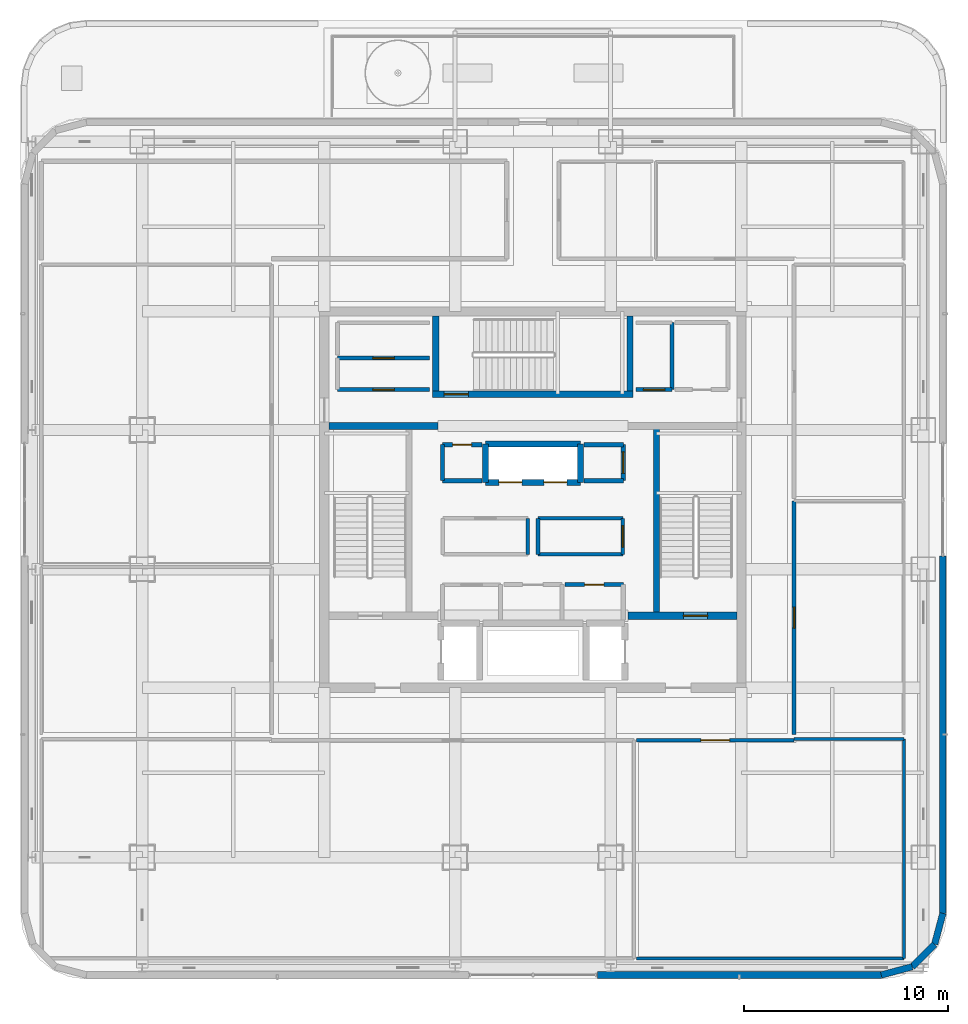
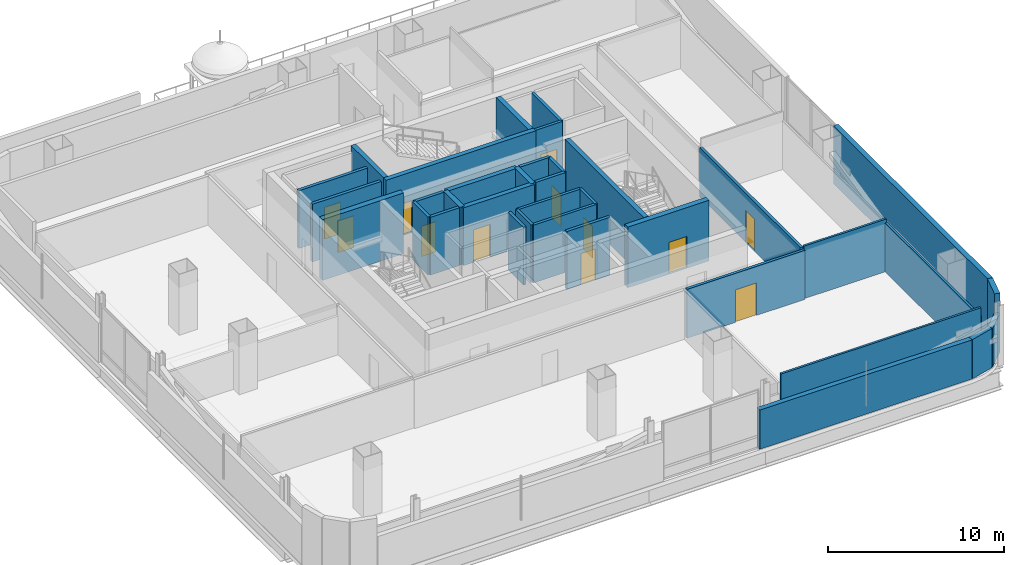
# One storey, part 13 of 28: 36 walls, 13 doors, 13 openings.
"""IFC4 building model written with IfcOpenShell, lengths in metres."""

from ifc_helpers import new_model, si_unit, direction, frame, frame_2d, origin, place, context, subcontext, project, spatial, rectangle, extrude, material, layer, layer_set, type_object, element, fill, save


model = new_model("IFC4")

# Units and contexts
model_context = context("Model", 3, precision=1e-05, world=origin(), true_north=direction((0.0, 1.0)))
body_context = subcontext(model_context, "Body", "Model", "MODEL_VIEW")
ifc_project = project(units=[si_unit("LENGTHUNIT", "METRE"), si_unit("AREAUNIT", "SQUARE_METRE"), si_unit("VOLUMEUNIT", "CUBIC_METRE"), si_unit("PLANEANGLEUNIT", "RADIAN"), si_unit("MASSUNIT", "GRAM", prefix="KILO")], contexts=[model_context])

# Site, building, storey
site_placement = place(None, origin())
site = spatial("IfcSite", under=ifc_project, at=site_placement, CompositionType="ELEMENT")
building_placement = place(site_placement, origin())
building = spatial("IfcBuilding", under=site, at=building_placement, Name="Punatoya Terracotta Tower", CompositionType="ELEMENT")
storey_placement = place(building_placement, frame((0.0, 0.0, 317.39990234375)))
storey = spatial("IfcBuildingStorey", under=building, at=storey_placement, Name="L75", CompositionType="ELEMENT", Elevation=317.39990234375)

# Wall
ifc_material_1 = material(Name="Gypsum Fireboard + Steel Stud", Category="steel")
ifc_layer_1 = layer(ifc_material_1, 0.179931640625)
ifc_layer_set_1 = layer_set([ifc_layer_1], Name="Gypsum Fireboard + Steel Stud")
wall_type_1 = type_object("IfcWallType", Name="WL-CORR-180", PredefinedType="PARTITIONING", material=ifc_layer_set_1)
wall_1_placement = place(storey_placement, frame((-0.25, -2.679931640625, 0.0), z_axis=(0.0, 0.0, 1.0), x_axis=(0.0, 1.0, 0.0)))
element("IfcWall", 1, at=wall_1_placement, inside=storey, type_object=wall_type_1, Name="L75 West Core Focus Pod Partition 08", PredefinedType="PARTITIONING", context=body_context, shape_type="SweptSolid", body=[
    extrude(rectangle(XDim=1.760009765625, YDim=0.179931640625, at=frame_2d((0.8798828125, 0.0))), origin(), (0.0, 0.0, 1.0), 4.0),
])

# Wall, opening, door
wall_2_placement = place(storey_placement, frame((4.39990234375, -2.679931640625, 0.0), z_axis=(0.0, 0.0, 1.0), x_axis=(0.0, 1.0, 0.0)))
wall_2 = element("IfcWall", 2, at=wall_2_placement, inside=storey, type_object=wall_type_1, Name="L75 East Core Wellness Room Partition 12", PredefinedType="PARTITIONING", context=body_context, shape_type="SweptSolid", body=[
    extrude(rectangle(XDim=1.760009765625, YDim=0.179931640625, at=frame_2d((0.8798828125, 0.0))), origin(), (0.0, 0.0, 1.0), 4.0),
])
opening_1_placement = place(wall_2_placement, frame((0.35498046875, 0.0, 0.0)))
opening_1 = element("IfcOpeningElement", 3, at=opening_1_placement, cuts=wall_2, Name="Opening OD-01", PredefinedType="OPENING", context=body_context, shape_type="SweptSolid", body=[
    extrude(rectangle(XDim=1.050048828125, YDim=2.199951171875, at=frame_2d((0.52490234375, 1.10009765625))), frame((0.0, 0.099853515625, 0.0), z_axis=(0.0, -1.0, 0.0), x_axis=(1.0, 0.0, 0.0)), (0.0, 0.0, 1.0), 0.199951171875),
])
ifc_material_2 = material(Name="Bengal Teak Solid-Core Leaf")
door_type_1 = type_object("IfcDoorType", Name="DR-OFF-1050", OperationType="NOTDEFINED", PredefinedType="DOOR", material=ifc_material_2)
door_1_placement = place(opening_1_placement, origin())
door_1 = element("IfcDoor", 4, at=door_1_placement, inside=storey, type_object=door_type_1, Name="L75 East Wellness Room Door", OperationType="SINGLE_SWING_LEFT", OverallHeight=2.199951171875, OverallWidth=1.050048828125, PredefinedType="DOOR", context=body_context, shape_type="SweptSolid", body=[
    extrude(rectangle(XDim=1.050048828125, YDim=2.199951171875, at=frame_2d((0.52490234375, 1.10009765625))), frame((0.0, 0.02490234375, 0.0), z_axis=(0.0, -1.0, 0.0), x_axis=(1.0, 0.0, 0.0)), (0.0, 0.0, 1.0), 0.050048828125),
])
fill(opening_1, door_1)

# Walls
wall_3_placement = place(storey_placement, frame((4.39990234375, -0.919921875, 0.0), z_axis=(0.0, 0.0, 1.0), x_axis=(-1.0, 0.0, 0.0)))
element("IfcWall", 5, at=wall_3_placement, inside=storey, type_object=wall_type_1, Name="L75 East Core Wellness Room Partition 13", PredefinedType="PARTITIONING", context=body_context, shape_type="SweptSolid", body=[
    extrude(rectangle(XDim=4.14990234375, YDim=0.179931640625, at=frame_2d((2.074951171875, 0.0))), origin(), (0.0, 0.0, 1.0), 4.0),
])
wall_4_placement = place(storey_placement, frame((0.25, -0.919921875, 0.0), z_axis=(0.0, 0.0, 1.0), x_axis=(0.0, -1.0, 0.0)))
element("IfcWall", 6, at=wall_4_placement, inside=storey, type_object=wall_type_1, Name="L75 East Core Wellness Room Partition 14", PredefinedType="PARTITIONING", context=body_context, shape_type="SweptSolid", body=[
    extrude(rectangle(XDim=1.760009765625, YDim=0.179931640625, at=frame_2d((0.8798828125, 0.0))), origin(), (0.0, 0.0, 1.0), 4.0),
])
wall_5_placement = place(storey_placement, frame((0.25, -2.679931640625, 0.0), z_axis=(0.0, 0.0, 1.0), x_axis=(1.0, 0.0, 0.0)))
element("IfcWall", 7, at=wall_5_placement, inside=storey, type_object=wall_type_1, Name="L75 East Core Wellness Room Partition 15", PredefinedType="PARTITIONING", context=body_context, shape_type="SweptSolid", body=[
    extrude(rectangle(XDim=4.14990234375, YDim=0.179931640625, at=frame_2d((2.074951171875, 0.0))), origin(), (0.0, 0.0, 1.0), 4.0),
])
wall_6_placement = place(storey_placement, frame((6.800048828125, 5.3798828125, 0.0), z_axis=(0.0, 0.0, 1.0), x_axis=(0.0, 1.0, 0.0)))
element("IfcWall", 8, at=wall_6_placement, inside=storey, type_object=wall_type_1, Name="L75 East Core Focus Office Partition 27", PredefinedType="PARTITIONING", context=body_context, shape_type="SweptSolid", body=[
    extrude(rectangle(XDim=3.27001953125, YDim=0.179931640625, at=frame_2d((1.635009765625, 0.0))), origin(), (0.0, 0.0, 1.0), 4.0),
])

# Wall, opening, door
wall_7_placement = place(storey_placement, frame((5.050048828125, 5.3798828125, 0.0), z_axis=(0.0, 0.0, 1.0), x_axis=(1.0, 0.0, 0.0)))
wall_7 = element("IfcWall", 9, at=wall_7_placement, inside=storey, type_object=wall_type_1, Name="L75 East Core Focus Office Partition 29", PredefinedType="PARTITIONING", context=body_context, shape_type="SweptSolid", body=[
    extrude(rectangle(XDim=1.75, YDim=0.179931640625, at=frame_2d((0.875, 0.0))), origin(), (0.0, 0.0, 1.0), 4.0),
])
opening_2_placement = place(wall_7_placement, frame((0.35009765625, 0.0, 0.0)))
opening_2 = element("IfcOpeningElement", 10, at=opening_2_placement, cuts=wall_7, Name="Opening OD-01", PredefinedType="OPENING", context=body_context, shape_type="SweptSolid", body=[
    extrude(rectangle(XDim=1.050048828125, YDim=2.199951171875, at=frame_2d((0.52490234375, 1.10009765625))), frame((0.0, 0.099853515625, 0.0), z_axis=(0.0, -1.0, 0.0), x_axis=(1.0, 0.0, 0.0)), (0.0, 0.0, 1.0), 0.199951171875),
])
door_2_placement = place(opening_2_placement, origin())
door_2 = element("IfcDoor", 11, at=door_2_placement, inside=storey, type_object=door_type_1, Name="L75 East Focus Office Door", OperationType="SINGLE_SWING_RIGHT", OverallHeight=2.199951171875, OverallWidth=1.050048828125, PredefinedType="DOOR", context=body_context, shape_type="SweptSolid", body=[
    extrude(rectangle(XDim=1.050048828125, YDim=2.199951171875, at=frame_2d((0.52490234375, 1.10009765625))), frame((0.0, 0.02490234375, 0.0), z_axis=(0.0, -1.0, 0.0), x_axis=(1.0, 0.0, 0.0)), (0.0, 0.0, 1.0), 0.050048828125),
])
fill(opening_2, door_2)

wall_8_placement = place(storey_placement, frame((5.068115234375, -11.77001953125, 0.0), z_axis=(0.0, 0.0, 1.0), x_axis=(1.0, 0.0, 0.0)))
wall_8 = element("IfcWall", 12, at=wall_8_placement, inside=storey, type_object=wall_type_1, Name="L75 Media Broadcast Studio Partition 41", PredefinedType="PARTITIONING", context=body_context, shape_type="SweptSolid", body=[
    extrude(rectangle(XDim=7.701904296875, YDim=0.179931640625, at=frame_2d((3.85107421875, 0.0))), origin(), (0.0, 0.0, 1.0), 3.39404296875),
])
opening_3_placement = place(wall_8_placement, frame((3.15087890625, 0.0, 0.0)))
opening_3 = element("IfcOpeningElement", 13, at=opening_3_placement, cuts=wall_8, Name="Opening BD-01", PredefinedType="OPENING", context=body_context, shape_type="SweptSolid", body=[
    extrude(rectangle(XDim=1.39990234375, YDim=2.25, at=frame_2d((0.699951171875, 1.125))), frame((0.0, 0.099853515625, 0.0), z_axis=(0.0, -1.0, 0.0), x_axis=(1.0, 0.0, 0.0)), (0.0, 0.0, 1.0), 0.199951171875),
])
ifc_material_3 = material(Name="Bengal Teak Acoustic Leaf")
door_type_2 = type_object("IfcDoorType", Name="DR-BRD-1400", OperationType="NOTDEFINED", PredefinedType="DOOR", material=ifc_material_3)
door_3_placement = place(opening_3_placement, origin())
door_3 = element("IfcDoor", 14, at=door_3_placement, inside=storey, type_object=door_type_2, Name="L75 Media Broadcast Studio Door", OperationType="SINGLE_SWING_LEFT", OverallHeight=2.25, OverallWidth=1.39990234375, PredefinedType="DOOR", context=body_context, shape_type="SweptSolid", body=[
    extrude(rectangle(XDim=1.39990234375, YDim=2.25, at=frame_2d((0.699951171875, 1.125))), frame((0.0, 0.02490234375, 0.0), z_axis=(0.0, -1.0, 0.0), x_axis=(1.0, 0.0, 0.0)), (0.0, 0.0, 1.0), 0.050048828125),
])
fill(opening_3, door_3)

wall_9_placement = place(storey_placement, frame((12.77001953125, -11.489990234375, 0.0), z_axis=(0.0, 0.0, 1.0), x_axis=(0.0, 1.0, 0.0)))
wall_9 = element("IfcWall", 15, at=wall_9_placement, inside=storey, type_object=wall_type_1, Name="L75 Press Briefing Room Partition 47", PredefinedType="PARTITIONING", context=body_context, shape_type="SweptSolid", body=[
    extrude(rectangle(XDim=11.429931640625, YDim=0.179931640625, at=frame_2d((5.71484375, 0.0))), origin(), (0.0, 0.0, 1.0), 3.39404296875),
])
opening_4_placement = place(wall_9_placement, frame((5.205078125, 0.0, 0.0)))
opening_4 = element("IfcOpeningElement", 16, at=opening_4_placement, cuts=wall_9, Name="Opening MD-01", PredefinedType="OPENING", context=body_context, shape_type="SweptSolid", body=[
    extrude(rectangle(XDim=1.02001953125, YDim=2.199951171875, at=frame_2d((0.510009765625, 1.10009765625))), frame((0.0, 0.099853515625, 0.0), z_axis=(0.0, -1.0, 0.0), x_axis=(1.0, 0.0, 0.0)), (0.0, 0.0, 1.0), 0.199951171875),
])
ifc_material_4 = material(Name="Aluminium + Acoustic Glass Leaf", Category="aluminium")
door_type_3 = type_object("IfcDoorType", Name="DR-MTG-1020", OperationType="NOTDEFINED", PredefinedType="DOOR", material=ifc_material_4)
door_4_placement = place(opening_4_placement, origin())
door_4 = element("IfcDoor", 17, at=door_4_placement, inside=storey, type_object=door_type_3, Name="L75 Press Briefing Room Door", OperationType="SINGLE_SWING_LEFT", OverallHeight=2.199951171875, OverallWidth=1.02001953125, PredefinedType="DOOR", context=body_context, shape_type="SweptSolid", body=[
    extrude(rectangle(XDim=1.02001953125, YDim=2.199951171875, at=frame_2d((0.510009765625, 1.10009765625))), frame((0.0, 0.02490234375, 0.0), z_axis=(0.0, -1.0, 0.0), x_axis=(1.0, 0.0, 0.0)), (0.0, 0.0, 1.0), 0.050048828125),
])
fill(opening_4, door_4)

# Walls
ifc_material_5 = material(Name="Precast concrete C40/50", Category="concrete")
ifc_layer_2 = layer(ifc_material_5, 0.320068359375)
ifc_layer_set_2 = layer_set([ifc_layer_2], Name="Precast concrete C40/50")
wall_type_2 = type_object("IfcWallType", Name="WL-EXT-320", PredefinedType="SOLIDWALL", material=ifc_layer_set_2)
wall_10_placement = place(storey_placement, frame((3.14990234375, -23.25, 0.0), z_axis=(0.0, 0.0, 1.0), x_axis=(1.0, 0.0, 0.0)))
element("IfcWall", 18, at=wall_10_placement, inside=storey, type_object=wall_type_2, Name="L75 Terracotta Braced Facade Wall S2", PredefinedType="SOLIDWALL", context=body_context, shape_type="SweptSolid", body=[
    extrude(rectangle(XDim=13.886962890625, YDim=0.320068359375, at=frame_2d((6.943359375, 0.0))), origin(), (0.0, 0.0, 1.0), 2.714111328125),
])
wall_11_placement = place(storey_placement, frame((17.036865234375, -23.25, 0.0), z_axis=(0.0, 0.0, 1.0), x_axis=(0.966224582397, 0.257701486942, 0.0)))
element("IfcWall", 19, at=wall_11_placement, inside=storey, type_object=wall_type_2, Name="L75 Rounded Terracotta Corner Pier 02", PredefinedType="SOLIDWALL", context=body_context, shape_type="SweptSolid", body=[
    extrude(rectangle(XDim=1.565185546875, YDim=0.320068359375, at=frame_2d((0.78271484375, 0.0))), origin(), (0.0, 0.0, 1.0), 2.714111328125),
])
wall_12_placement = place(storey_placement, frame((18.549072265625, -22.8466796875, 0.0), z_axis=(0.0, 0.0, 1.0), x_axis=(0.707028130747, 0.707185422879, 0.0)))
element("IfcWall", 20, at=wall_12_placement, inside=storey, type_object=wall_type_2, Name="L75 Rounded Terracotta Corner Pier 03", PredefinedType="SOLIDWALL", context=body_context, shape_type="SweptSolid", body=[
    extrude(rectangle(XDim=1.55224609375, YDim=0.320068359375, at=frame_2d((0.776123046875, 0.0))), origin(), (0.0, 0.0, 1.0), 2.674072265625),
])
wall_13_placement = place(storey_placement, frame((19.646484375, -21.7490234375, 0.0), z_axis=(0.0, 0.0, 1.0), x_axis=(0.257847112249, 0.966185730957, 0.0)))
element("IfcWall", 21, at=wall_13_placement, inside=storey, type_object=wall_type_2, Name="L75 Rounded Terracotta Corner Pier 04", PredefinedType="SOLIDWALL", context=body_context, shape_type="SweptSolid", body=[
    extrude(rectangle(XDim=1.565185546875, YDim=0.320068359375, at=frame_2d((0.78271484375, 0.0))), origin(), (0.0, 0.0, 1.0), 4.0),
])
wall_14_placement = place(storey_placement, frame((20.050048828125, -20.23681640625, 0.0), z_axis=(0.0, 0.0, 1.0), x_axis=(0.0, 1.0, 0.0)))
element("IfcWall", 22, at=wall_14_placement, inside=storey, type_object=wall_type_2, Name="L75 Terracotta Braced Facade Wall E1", PredefinedType="SOLIDWALL", context=body_context, shape_type="SweptSolid", body=[
    extrude(rectangle(XDim=17.48681640625, YDim=0.320068359375, at=frame_2d((8.743408203125, 0.0))), origin(), (0.0, 0.0, 1.0), 4.0),
])

# Wall, opening, door
ifc_material_6 = material(Name="Concrete C40/50", Category="concrete")
ifc_layer_3 = layer(ifc_material_6, 0.199951171875)
ifc_layer_set_3 = layer_set([ifc_layer_3], Name="Concrete C40/50")
wall_type_3 = type_object("IfcWallType", Name="WL-INT-200", PredefinedType="SOLIDWALL", material=ifc_layer_set_3)
wall_15_placement = place(storey_placement, frame((4.419921875, -4.159912109375, 0.0), z_axis=(0.0, 0.0, 1.0), x_axis=(-1.0, 0.0, 0.0)))
wall_15 = element("IfcWall", 23, at=wall_15_placement, inside=storey, type_object=wall_type_3, Name="L75 All-Gender Washroom Partition 07", PredefinedType="SOLIDWALL", context=body_context, shape_type="SweptSolid", body=[
    extrude(rectangle(XDim=2.83984375, YDim=0.199951171875, at=frame_2d((1.419921875, 0.0))), origin(), (0.0, 0.0, 1.0), 4.0),
])
opening_5_placement = place(wall_15_placement, frame((0.945068359375, 0.0, 0.0)))
opening_5 = element("IfcOpeningElement", 24, at=opening_5_placement, cuts=wall_15, Name="Opening WD-01", PredefinedType="OPENING", context=body_context, shape_type="SweptSolid", body=[
    extrude(rectangle(XDim=0.949951171875, YDim=2.14990234375, at=frame_2d((0.47509765625, 1.074951171875))), frame((0.0, 0.10986328125, 0.0), z_axis=(0.0, -1.0, 0.0), x_axis=(1.0, 0.0, 0.0)), (0.0, 0.0, 1.0), 0.219970703125),
])
ifc_material_7 = material(Name="Moisture-Resistant Laminate Timber Leaf", Category="wood")
door_type_4 = type_object("IfcDoorType", Name="DR-WC-950", OperationType="NOTDEFINED", PredefinedType="DOOR", material=ifc_material_7)
door_5_placement = place(opening_5_placement, origin())
door_5 = element("IfcDoor", 25, at=door_5_placement, inside=storey, type_object=door_type_4, Name="L75 All-Gender Washroom Door", OperationType="SINGLE_SWING_LEFT", OverallHeight=2.14990234375, OverallWidth=0.949951171875, PredefinedType="DOOR", context=body_context, shape_type="SweptSolid", body=[
    extrude(rectangle(XDim=0.949951171875, YDim=2.14990234375, at=frame_2d((0.47509765625, 1.074951171875))), frame((0.0, 0.02490234375, 0.0), z_axis=(0.0, -1.0, 0.0), x_axis=(1.0, 0.0, 0.0)), (0.0, 0.0, 1.0), 0.050048828125),
])
fill(opening_5, door_5)

wall_16_placement = place(storey_placement, frame((-2.5, 2.679931640625, 0.0), z_axis=(0.0, 0.0, 1.0), x_axis=(-1.0, 0.0, 0.0)))
wall_16 = element("IfcWall", 26, at=wall_16_placement, inside=storey, type_object=wall_type_3, Name="L75 Core Security Equipment Closet Partition 16", PredefinedType="SOLIDWALL", context=body_context, shape_type="SweptSolid", body=[
    extrude(rectangle(XDim=1.919921875, YDim=0.199951171875, at=frame_2d((0.9599609375, 0.0))), origin(), (0.0, 0.0, 1.0), 4.0),
])
opening_6_placement = place(wall_16_placement, frame((0.5, 0.0, 0.0)))
opening_6 = element("IfcOpeningElement", 27, at=opening_6_placement, cuts=wall_16, Name="Opening FD-R1", PredefinedType="OPENING", context=body_context, shape_type="SweptSolid", body=[
    extrude(rectangle(XDim=0.919921875, YDim=2.10009765625, at=frame_2d((0.4599609375, 1.050048828125))), frame((0.0, 0.10986328125, 0.0), z_axis=(0.0, -1.0, 0.0), x_axis=(1.0, 0.0, 0.0)), (0.0, 0.0, 1.0), 0.219970703125),
])
ifc_material_8 = material(Name="Galvanised Steel Riser Fire Access Door", Category="steel")
door_type_5 = type_object("IfcDoorType", Name="DR-RSR-920", OperationType="NOTDEFINED", PredefinedType="DOOR", material=ifc_material_8)
door_6_placement = place(opening_6_placement, origin())
door_6 = element("IfcDoor", 28, at=door_6_placement, inside=storey, type_object=door_type_5, Name="L75 Core Security Equipment Closet Fire Door", OperationType="SINGLE_SWING_RIGHT", OverallHeight=2.10009765625, OverallWidth=0.919921875, PredefinedType="DOOR", context=body_context, shape_type="SweptSolid", body=[
    extrude(rectangle(XDim=0.919921875, YDim=2.10009765625, at=frame_2d((0.4599609375, 1.050048828125))), frame((0.0, 0.02490234375, 0.0), z_axis=(0.0, -1.0, 0.0), x_axis=(1.0, 0.0, 0.0)), (0.0, 0.0, 1.0), 0.050048828125),
])
fill(opening_6, door_6)

# Walls
wall_17_placement = place(storey_placement, frame((-4.419921875, 2.679931640625, 0.0), z_axis=(0.0, 0.0, 1.0), x_axis=(0.0, -1.0, 0.0)))
element("IfcWall", 29, at=wall_17_placement, inside=storey, type_object=wall_type_3, Name="L75 Core Security Equipment Closet Partition 17", PredefinedType="SOLIDWALL", context=body_context, shape_type="SweptSolid", body=[
    extrude(rectangle(XDim=1.760009765625, YDim=0.199951171875, at=frame_2d((0.8798828125, 0.0))), origin(), (0.0, 0.0, 1.0), 4.0),
])
wall_18_placement = place(storey_placement, frame((-4.419921875, 0.919921875, 0.0), z_axis=(0.0, 0.0, 1.0), x_axis=(1.0, 0.0, 0.0)))
element("IfcWall", 30, at=wall_18_placement, inside=storey, type_object=wall_type_3, Name="L75 Core Security Equipment Closet Partition 18", PredefinedType="SOLIDWALL", context=body_context, shape_type="SweptSolid", body=[
    extrude(rectangle(XDim=1.919921875, YDim=0.199951171875, at=frame_2d((0.9599609375, 0.0))), origin(), (0.0, 0.0, 1.0), 4.0),
])

# Wall, opening, door
wall_19_placement = place(storey_placement, frame((4.419921875, 0.919921875, 0.0), z_axis=(0.0, 0.0, 1.0), x_axis=(0.0, 1.0, 0.0)))
wall_19 = element("IfcWall", 31, at=wall_19_placement, inside=storey, type_object=wall_type_3, Name="L75 Executive Steward Pantry Partition 19", PredefinedType="SOLIDWALL", context=body_context, shape_type="SweptSolid", body=[
    extrude(rectangle(XDim=1.760009765625, YDim=0.199951171875, at=frame_2d((0.8798828125, 0.0))), origin(), (0.0, 0.0, 1.0), 4.0),
])
opening_7_placement = place(wall_19_placement, frame((0.35498046875, 0.0, 0.0)))
opening_7 = element("IfcOpeningElement", 32, at=opening_7_placement, cuts=wall_19, Name="Opening OD-01", PredefinedType="OPENING", context=body_context, shape_type="SweptSolid", body=[
    extrude(rectangle(XDim=1.050048828125, YDim=2.199951171875, at=frame_2d((0.52490234375, 1.10009765625))), frame((0.0, 0.10986328125, 0.0), z_axis=(0.0, -1.0, 0.0), x_axis=(1.0, 0.0, 0.0)), (0.0, 0.0, 1.0), 0.219970703125),
])
door_7_placement = place(opening_7_placement, origin())
door_7 = element("IfcDoor", 33, at=door_7_placement, inside=storey, type_object=door_type_1, Name="L75 Executive Steward Pantry Door", OperationType="SINGLE_SWING_LEFT", OverallHeight=2.199951171875, OverallWidth=1.050048828125, PredefinedType="DOOR", context=body_context, shape_type="SweptSolid", body=[
    extrude(rectangle(XDim=1.050048828125, YDim=2.199951171875, at=frame_2d((0.52490234375, 1.10009765625))), frame((0.0, 0.02490234375, 0.0), z_axis=(0.0, -1.0, 0.0), x_axis=(1.0, 0.0, 0.0)), (0.0, 0.0, 1.0), 0.050048828125),
])
fill(opening_7, door_7)

# Walls
for number, where, z_axis, x_axis, name in (
    (34, (4.419921875, 2.679931640625, 0.0), (0.0, 0.0, 1.0), (-1.0, 0.0, 0.0), "L75 Executive Steward Pantry Partition 20"),
    (35, (2.5, 0.919921875, 0.0), (0.0, 0.0, 1.0), (1.0, 0.0, 0.0), "L75 Executive Steward Pantry Partition 21"),
):
    element("IfcWall", number, at=place(storey_placement, frame(where, z_axis=z_axis, x_axis=x_axis)), inside=storey, type_object=wall_type_3, Name=name, PredefinedType="SOLIDWALL", context=body_context, shape_type="SweptSolid", body=[
        extrude(rectangle(XDim=1.919921875, YDim=0.199951171875, at=frame_2d((0.9599609375, 0.0))), origin(), (0.0, 0.0, 1.0), 4.0),
    ])

# Wall, opening, door
wall_20_placement = place(storey_placement, frame((-5.050048828125, 6.919921875, 0.0), z_axis=(0.0, 0.0, 1.0), x_axis=(-1.0, 0.0, 0.0)))
wall_20 = element("IfcWall", 36, at=wall_20_placement, inside=storey, type_object=wall_type_3, Name="L75 West Core Tea Pantry Partition 22", PredefinedType="SOLIDWALL", context=body_context, shape_type="SweptSolid", body=[
    extrude(rectangle(XDim=4.5, YDim=0.199951171875, at=frame_2d((2.25, 0.0))), origin(), (0.0, 0.0, 1.0), 4.0),
])
opening_8_placement = place(wall_20_placement, frame((1.72509765625, 0.0, 0.0)))
opening_8 = element("IfcOpeningElement", 37, at=opening_8_placement, cuts=wall_20, Name="Opening OD-01", PredefinedType="OPENING", context=body_context, shape_type="SweptSolid", body=[
    extrude(rectangle(XDim=1.050048828125, YDim=2.199951171875, at=frame_2d((0.52490234375, 1.10009765625))), frame((0.0, 0.10986328125, 0.0), z_axis=(0.0, -1.0, 0.0), x_axis=(1.0, 0.0, 0.0)), (0.0, 0.0, 1.0), 0.219970703125),
])
door_8_placement = place(opening_8_placement, origin())
door_8 = element("IfcDoor", 38, at=door_8_placement, inside=storey, type_object=door_type_1, Name="L75 West Copy Room Door", OperationType="SINGLE_SWING_LEFT", OverallHeight=2.199951171875, OverallWidth=1.050048828125, PredefinedType="DOOR", context=body_context, shape_type="SweptSolid", body=[
    extrude(rectangle(XDim=1.050048828125, YDim=2.199951171875, at=frame_2d((0.52490234375, 1.10009765625))), frame((0.0, 0.02490234375, 0.0), z_axis=(0.0, -1.0, 0.0), x_axis=(1.0, 0.0, 0.0)), (0.0, 0.0, 1.0), 0.050048828125),
])
fill(opening_8, door_8)

wall_21_placement = place(storey_placement, frame((-9.550048828125, 5.3798828125, 0.0), z_axis=(0.0, 0.0, 1.0), x_axis=(1.0, 0.0, 0.0)))
wall_21 = element("IfcWall", 39, at=wall_21_placement, inside=storey, type_object=wall_type_3, Name="L75 West Core Tea Pantry Partition 24", PredefinedType="SOLIDWALL", context=body_context, shape_type="SweptSolid", body=[
    extrude(rectangle(XDim=4.5, YDim=0.199951171875, at=frame_2d((2.25, 0.0))), origin(), (0.0, 0.0, 1.0), 4.0),
])
opening_9_placement = place(wall_21_placement, frame((1.72509765625, 0.0, 0.0)))
opening_9 = element("IfcOpeningElement", 40, at=opening_9_placement, cuts=wall_21, Name="Opening OD-01", PredefinedType="OPENING", context=body_context, shape_type="SweptSolid", body=[
    extrude(rectangle(XDim=1.050048828125, YDim=2.199951171875, at=frame_2d((0.52490234375, 1.10009765625))), frame((0.0, 0.10986328125, 0.0), z_axis=(0.0, -1.0, 0.0), x_axis=(1.0, 0.0, 0.0)), (0.0, 0.0, 1.0), 0.219970703125),
])
door_9_placement = place(opening_9_placement, origin())
door_9 = element("IfcDoor", 41, at=door_9_placement, inside=storey, type_object=door_type_1, Name="L75 West Tea Pantry Door", OperationType="SINGLE_SWING_RIGHT", OverallHeight=2.199951171875, OverallWidth=1.050048828125, PredefinedType="DOOR", context=body_context, shape_type="SweptSolid", body=[
    extrude(rectangle(XDim=1.050048828125, YDim=2.199951171875, at=frame_2d((0.52490234375, 1.10009765625))), frame((0.0, 0.02490234375, 0.0), z_axis=(0.0, -1.0, 0.0), x_axis=(1.0, 0.0, 0.0)), (0.0, 0.0, 1.0), 0.050048828125),
])
fill(opening_9, door_9)

# Walls
ifc_material_9 = material(Name="Acoustic Gypsum + Steel Stud", Category="steel")
ifc_layer_4 = layer(ifc_material_9, 0.139892578125)
ifc_layer_set_4 = layer_set([ifc_layer_4], Name="Acoustic Gypsum + Steel Stud")
wall_type_4 = type_object("IfcWallType", Name="WL-OFF-140", PredefinedType="PARTITIONING", material=ifc_layer_set_4)
wall_22_placement = place(storey_placement, frame((12.77001953125, -11.7099609375, 0.0), z_axis=(0.0, 0.0, 1.0), x_axis=(1.0, 0.0, 0.0)))
element("IfcWall", 42, at=wall_22_placement, inside=storey, type_object=wall_type_4, Name="L75 Media Broadcast Studio Partition 38", PredefinedType="PARTITIONING", context=body_context, shape_type="SweptSolid", body=[
    extrude(rectangle(XDim=5.369873046875, YDim=0.139892578125, at=frame_2d((2.68505859375, 0.0))), origin(), (0.0, 0.0, 1.0), 3.634033203125),
])
wall_23_placement = place(storey_placement, frame((18.139892578125, -11.7099609375, 0.0), z_axis=(0.0, 0.0, 1.0), x_axis=(0.0, -1.0, 0.0)))
element("IfcWall", 43, at=wall_23_placement, inside=storey, type_object=wall_type_4, Name="L75 Media Broadcast Studio Partition 39", PredefinedType="PARTITIONING", context=body_context, shape_type="SweptSolid", body=[
    extrude(rectangle(XDim=10.72998046875, YDim=0.139892578125, at=frame_2d((5.364990234375, 0.0))), origin(), (0.0, 0.0, 1.0), 3.39404296875),
])
wall_24_placement = place(storey_placement, frame((18.139892578125, -22.43994140625, 0.0), z_axis=(0.0, 0.0, 1.0), x_axis=(-1.0, 0.0, 0.0)))
element("IfcWall", 44, at=wall_24_placement, inside=storey, type_object=wall_type_4, Name="L75 Media Broadcast Studio Partition 40", PredefinedType="PARTITIONING", context=body_context, shape_type="SweptSolid", body=[
    extrude(rectangle(XDim=13.07177734375, YDim=0.139892578125, at=frame_2d((6.535888671875, 0.0))), origin(), (0.0, 0.0, 1.0), 4.0),
])
ifc_layer_5 = layer(ifc_material_6, 0.300048828125)
ifc_layer_set_5 = layer_set([ifc_layer_5], Name="Concrete C40/50")
wall_type_5 = type_object("IfcWallType", Name="WL-SHF-300", PredefinedType="SOLIDWALL", material=ifc_layer_set_5)
wall_25_placement = place(storey_placement, frame((6.050048828125, 3.449951171875, 0.0), z_axis=(0.0, 0.0, 1.0), x_axis=(0.0, -1.0, 0.0)))
element("IfcWall", 45, at=wall_25_placement, inside=storey, type_object=wall_type_5, Name="L75 Structural Stair Shaft Wall SW-ST2-W", PredefinedType="SOLIDWALL", context=body_context, shape_type="SweptSolid", body=[
    extrude(rectangle(XDim=8.949951171875, YDim=0.300048828125, at=frame_2d((4.47509765625, 0.0))), origin(), (0.0, 0.0, 1.0), 4.2001953125),
])
for number, where, z_axis, x_axis, name in (
    (46, (-4.75, 5.300048828125, 0.0), (0.0, 0.0, 1.0), (0.0, 1.0, 0.0), "L75 Structural Stair Shaft Wall SW-ST3-W"),
    (47, (4.75, 8.97509765625, 0.0), (0.0, 0.0, 1.0), (0.0, -1.0, 0.0), "L75 Structural Stair Shaft Wall SW-ST3-E"),
):
    element("IfcWall", number, at=place(storey_placement, frame(where, z_axis=z_axis, x_axis=x_axis)), inside=storey, type_object=wall_type_5, Name=name, PredefinedType="SOLIDWALL", context=body_context, shape_type="SweptSolid", body=[
        extrude(rectangle(XDim=3.675048828125, YDim=0.300048828125, at=frame_2d((1.83740234375, 0.0))), origin(), (0.0, 0.0, 1.0), 4.2001953125),
    ])

# Wall, opening, door
wall_26_placement = place(storey_placement, frame((-4.89990234375, 5.14990234375, 0.0), z_axis=(0.0, 0.0, 1.0), x_axis=(1.0, 0.0, 0.0)))
wall_26 = element("IfcWall", 48, at=wall_26_placement, inside=storey, type_object=wall_type_5, Name="L75 Structural Stair Shaft Wall SW-ST3-S", PredefinedType="SOLIDWALL", context=body_context, shape_type="SweptSolid", body=[
    extrude(rectangle(XDim=9.7998046875, YDim=0.300048828125, at=frame_2d((4.89990234375, 0.0))), origin(), (0.0, 0.0, 1.0), 4.2001953125),
])
opening_10_placement = place(wall_26_placement, frame((0.56005859375, 0.0, 0.0)))
opening_10 = element("IfcOpeningElement", 49, at=opening_10_placement, cuts=wall_26, Name="Opening SD-01", PredefinedType="OPENING", context=body_context, shape_type="SweptSolid", body=[
    extrude(rectangle(XDim=1.179931640625, YDim=2.199951171875, at=frame_2d((0.58984375, 1.10009765625))), frame((0.0, 0.159912109375, 0.0), z_axis=(0.0, -1.0, 0.0), x_axis=(1.0, 0.0, 0.0)), (0.0, 0.0, 1.0), 0.320068359375),
])
ifc_material_10 = material(Name="Galvanised Steel Pressurized Stair Fire Door", Category="steel")
door_type_6 = type_object("IfcDoorType", Name="DR-STR-1180", OperationType="NOTDEFINED", PredefinedType="DOOR", material=ifc_material_10)
door_10_placement = place(opening_10_placement, origin())
door_10 = element("IfcDoor", 50, at=door_10_placement, inside=storey, type_object=door_type_6, Name="L75 Stair ST-3 Core Lobby Fire Door", OperationType="SINGLE_SWING_LEFT", OverallHeight=2.199951171875, OverallWidth=1.179931640625, PredefinedType="DOOR", context=body_context, shape_type="SweptSolid", body=[
    extrude(rectangle(XDim=1.179931640625, YDim=2.199951171875, at=frame_2d((0.58984375, 1.10009765625))), frame((0.0, 0.02490234375, 0.0), z_axis=(0.0, -1.0, 0.0), x_axis=(1.0, 0.0, 0.0)), (0.0, 0.0, 1.0), 0.050048828125),
])
fill(opening_10, door_10)

# Wall, openings, doors
wall_27_placement = place(storey_placement, frame((-2.320068359375, 0.840087890625, 0.0), z_axis=(0.0, 0.0, 1.0), x_axis=(1.0, 0.0, 0.0)))
wall_27 = element("IfcWall", 51, at=wall_27_placement, inside=storey, type_object=wall_type_5, Name="L75 North Lift Bank Front Shaft Wall", PredefinedType="SOLIDWALL", context=body_context, shape_type="SweptSolid", body=[
    extrude(rectangle(XDim=4.64013671875, YDim=0.300048828125, at=frame_2d((2.320068359375, 0.0))), origin(), (0.0, 0.0, 1.0), 4.0),
])
opening_11_placement = place(wall_27_placement, frame((0.659912109375, 0.0, 0.0)))
opening_11 = element("IfcOpeningElement", 52, at=opening_11_placement, cuts=wall_27, Name="Opening LD-02", PredefinedType="OPENING", context=body_context, shape_type="SweptSolid", body=[
    extrude(rectangle(XDim=1.1201171875, YDim=2.25, at=frame_2d((0.56005859375, 1.125))), frame((0.0, 0.159912109375, 0.0), z_axis=(0.0, -1.0, 0.0), x_axis=(1.0, 0.0, 0.0)), (0.0, 0.0, 1.0), 0.320068359375),
])
opening_12_placement = place(wall_27_placement, frame((2.860107421875, 0.0, 0.0)))
opening_12 = element("IfcOpeningElement", 53, at=opening_12_placement, cuts=wall_27, Name="Opening LD-02", PredefinedType="OPENING", context=body_context, shape_type="SweptSolid", body=[
    extrude(rectangle(XDim=1.1201171875, YDim=2.25, at=frame_2d((0.56005859375, 1.125))), frame((0.0, 0.159912109375, 0.0), z_axis=(0.0, -1.0, 0.0), x_axis=(1.0, 0.0, 0.0)), (0.0, 0.0, 1.0), 0.320068359375),
])
ifc_material_11 = material(Name="Stainless Steel Lift Landing Door", Category="steel")
door_type_7 = type_object("IfcDoorType", Name="DR-LND-1120", OperationType="NOTDEFINED", PredefinedType="DOOR", material=ifc_material_11)
door_11_placement = place(opening_11_placement, origin())
door_11 = element("IfcDoor", 54, at=door_11_placement, inside=storey, type_object=door_type_7, Name="L75 Lift PL-E1 Sliding Landing Door", OperationType="DOUBLE_DOOR_SLIDING", OverallHeight=2.25, OverallWidth=1.1201171875, PredefinedType="DOOR", context=body_context, shape_type="SweptSolid", body=[
    extrude(rectangle(XDim=1.1201171875, YDim=2.25, at=frame_2d((0.56005859375, 1.125))), frame((0.0, 0.02490234375, 0.0), z_axis=(0.0, -1.0, 0.0), x_axis=(1.0, 0.0, 0.0)), (0.0, 0.0, 1.0), 0.050048828125),
])
fill(opening_11, door_11)
door_12_placement = place(opening_12_placement, origin())
door_12 = element("IfcDoor", 55, at=door_12_placement, inside=storey, type_object=door_type_7, Name="L75 Lift PL-E2 Sliding Landing Door", OperationType="DOUBLE_DOOR_SLIDING", OverallHeight=2.25, OverallWidth=1.1201171875, PredefinedType="DOOR", context=body_context, shape_type="SweptSolid", body=[
    extrude(rectangle(XDim=1.1201171875, YDim=2.25, at=frame_2d((0.56005859375, 1.125))), frame((0.0, 0.02490234375, 0.0), z_axis=(0.0, -1.0, 0.0), x_axis=(1.0, 0.0, 0.0)), (0.0, 0.0, 1.0), 0.050048828125),
])
fill(opening_12, door_12)

# Walls
wall_28_placement = place(storey_placement, frame((-2.320068359375, 2.719970703125, 0.0), z_axis=(0.0, 0.0, 1.0), x_axis=(1.0, 0.0, 0.0)))
element("IfcWall", 56, at=wall_28_placement, inside=storey, type_object=wall_type_5, Name="L75 North Lift Bank Rear Shaft Wall", PredefinedType="SOLIDWALL", context=body_context, shape_type="SweptSolid", body=[
    extrude(rectangle(XDim=4.64013671875, YDim=0.300048828125, at=frame_2d((2.320068359375, 0.0))), origin(), (0.0, 0.0, 1.0), 4.0),
])
for number, where, z_axis, x_axis, name in (
    (57, (-2.320068359375, 0.840087890625, 0.0), (0.0, 0.0, 1.0), (0.0, 1.0, 0.0), "L75 North Lift Bank West End Wall"),
    (58, (2.320068359375, 0.840087890625, 0.0), (0.0, 0.0, 1.0), (0.0, 1.0, 0.0), "L75 North Lift Bank East End Wall"),
):
    element("IfcWall", number, at=place(storey_placement, frame(where, z_axis=z_axis, x_axis=x_axis)), inside=storey, type_object=wall_type_5, Name=name, PredefinedType="SOLIDWALL", context=body_context, shape_type="SweptSolid", body=[
        extrude(rectangle(XDim=1.8798828125, YDim=0.300048828125, at=frame_2d((0.93994140625, 0.0))), origin(), (0.0, 0.0, 1.0), 4.0),
    ])

# Wall, opening, door
ifc_material_12 = material(Name="Concrete C50/60", Category="concrete")
ifc_layer_6 = layer(ifc_material_12, 0.35009765625)
ifc_layer_set_6 = layer_set([ifc_layer_6], Name="Concrete C50/60")
wall_type_6 = type_object("IfcWallType", Name="WL-SHF-350", PredefinedType="SOLIDWALL", material=ifc_layer_set_6)
wall_29_placement = place(storey_placement, frame((4.64990234375, -5.679931640625, 0.0), z_axis=(0.0, 0.0, 1.0), x_axis=(1.0, 0.0, 0.0)))
wall_29 = element("IfcWall", 59, at=wall_29_placement, inside=storey, type_object=wall_type_6, Name="L75 Core Web Wall CSW-R", PredefinedType="SOLIDWALL", context=body_context, shape_type="SweptSolid", body=[
    extrude(rectangle(XDim=5.3251953125, YDim=0.35009765625, at=frame_2d((2.66259765625, 0.0))), origin(), (0.0, 0.0, 1.0), 4.2001953125),
])
opening_13_placement = place(wall_29_placement, frame((2.7099609375, 0.0, 0.0)))
opening_13 = element("IfcOpeningElement", 60, at=opening_13_placement, cuts=wall_29, Name="Opening SD-01", PredefinedType="OPENING", context=body_context, shape_type="SweptSolid", body=[
    extrude(rectangle(XDim=1.179931640625, YDim=2.199951171875, at=frame_2d((0.58984375, 1.10009765625))), frame((0.0, 0.18505859375, 0.0), z_axis=(0.0, -1.0, 0.0), x_axis=(1.0, 0.0, 0.0)), (0.0, 0.0, 1.0), 0.3701171875),
])
door_13_placement = place(opening_13_placement, origin())
door_13 = element("IfcDoor", 61, at=door_13_placement, inside=storey, type_object=door_type_6, Name="L75 Stair ST-2 Smokeproof Lobby Fire Door", OperationType="SINGLE_SWING_RIGHT", OverallHeight=2.199951171875, OverallWidth=1.179931640625, PredefinedType="DOOR", context=body_context, shape_type="SweptSolid", body=[
    extrude(rectangle(XDim=1.179931640625, YDim=2.199951171875, at=frame_2d((0.58984375, 1.10009765625))), frame((0.0, 0.02490234375, 0.0), z_axis=(0.0, -1.0, 0.0), x_axis=(1.0, 0.0, 0.0)), (0.0, 0.0, 1.0), 0.050048828125),
])
fill(opening_13, door_13)

# Wall
wall_30_placement = place(storey_placement, frame((-9.97509765625, 3.60009765625, 0.0), z_axis=(0.0, 0.0, 1.0), x_axis=(1.0, 0.0, 0.0)))
element("IfcWall", 62, at=wall_30_placement, inside=storey, type_object=wall_type_6, Name="L75 Core Web Wall CNW-L", PredefinedType="SOLIDWALL", context=body_context, shape_type="SweptSolid", body=[
    extrude(rectangle(XDim=5.3251953125, YDim=0.35009765625, at=frame_2d((2.66259765625, 0.0))), origin(), (0.0, 0.0, 1.0), 4.2001953125),
])

save(model, "model.ifc")
